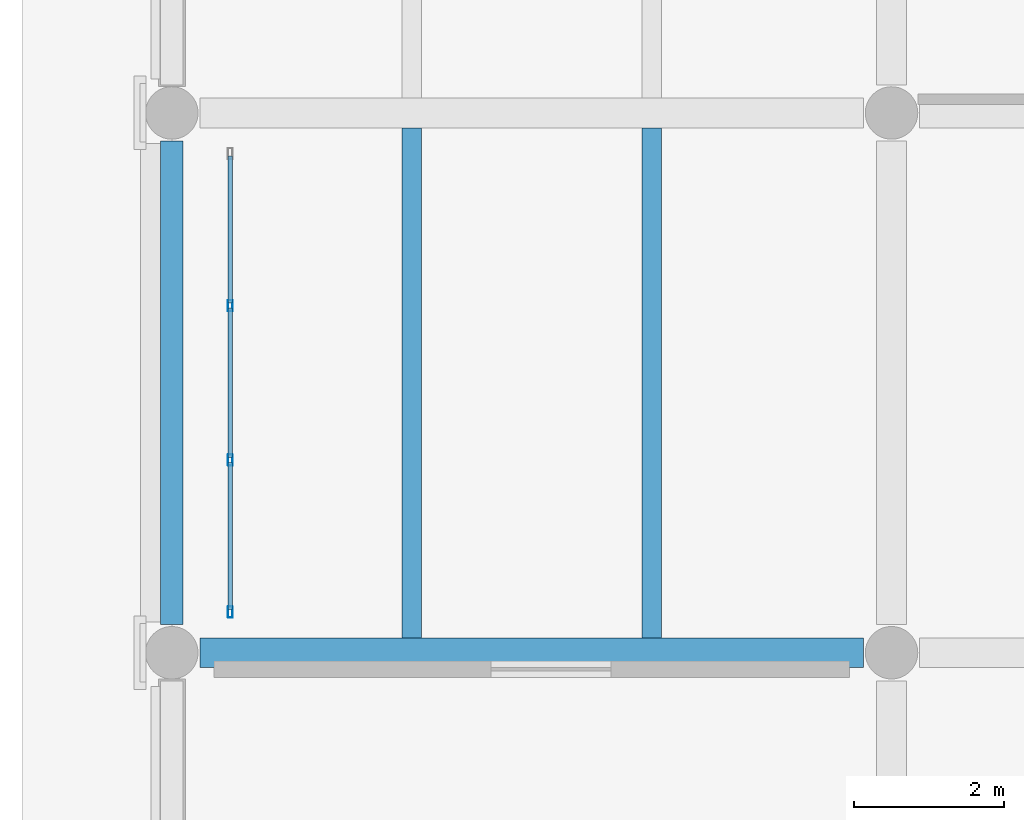
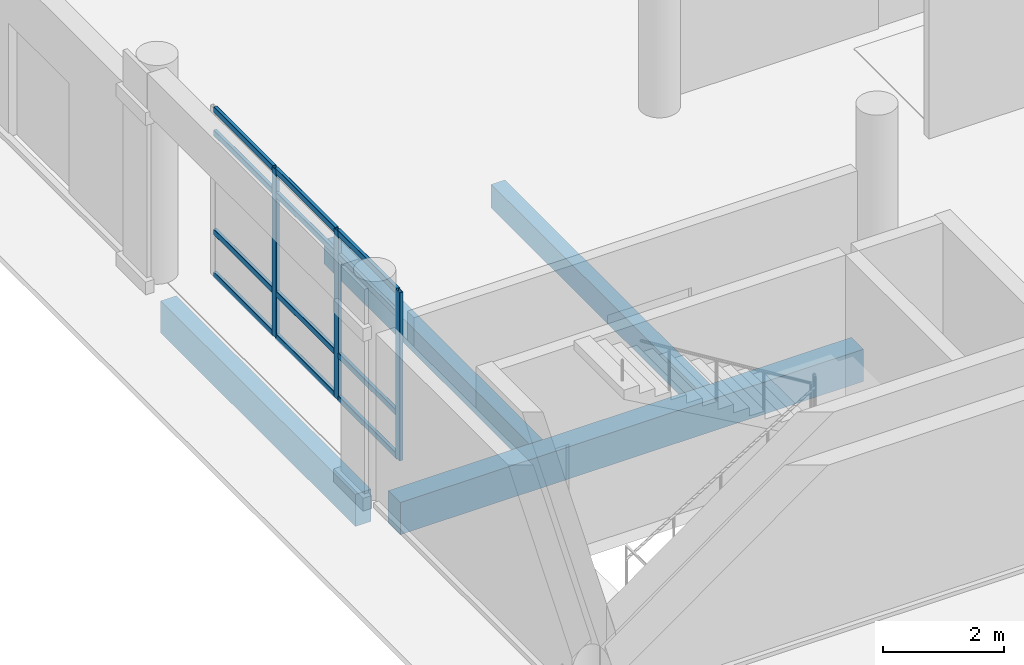
# One storey, part 48 of 196: 15 members, 4 beams, 1 element without a shape of its own.
"""IFC4 building model written with IfcOpenShell, lengths in metres."""

from ifc_helpers import new_model, si_unit, direction, frame, origin, origin_2d, place, context, subcontext, project, spatial, rectangle, hollow_rectangle, extrude, material, layer, layer_set, material_profile, profile_set, type_object, element, aggregate, save


model = new_model("IFC4")

# Units and contexts
model_context = context("Model", 3, precision=1e-05, world=origin(), true_north=direction((0.0, 1.0)))
body_context = subcontext(model_context, "Body", "Model", "MODEL_VIEW")
ifc_project = project(units=[si_unit("LENGTHUNIT", "METRE"), si_unit("AREAUNIT", "SQUARE_METRE"), si_unit("VOLUMEUNIT", "CUBIC_METRE"), si_unit("PLANEANGLEUNIT", "RADIAN"), si_unit("MASSUNIT", "GRAM", prefix="KILO")], contexts=[model_context])

# Site, building, storey
site_placement = place(None, origin())
site = spatial("IfcSite", under=ifc_project, at=site_placement, CompositionType="ELEMENT")
building_placement = place(site_placement, origin())
building = spatial("IfcBuilding", under=site, at=building_placement, Name="Asteropetra Specialist Clinic", CompositionType="ELEMENT")
storey_placement = place(building_placement, origin())
storey = spatial("IfcBuildingStorey", under=building, at=storey_placement, Name="L00", CompositionType="ELEMENT", Elevation=0.0)

# Beam
ifc_material_1 = material(Name="Concrete C35/45", Category="concrete")
ifc_material_profile_1 = material_profile(ifc_material_1, rectangle(XDim=0.39990234375, YDim=0.64990234375, at=origin_2d()), Name="RCB 400x650")
ifc_profile_set_1 = profile_set([ifc_material_profile_1], Name="Concrete C35/45")
beam_type_1 = type_object("IfcBeamType", Name="BM-RC400x650", PredefinedType="BEAM", material=ifc_profile_set_1)
beam_1_placement = place(storey_placement, frame((0.375, 40.800048828125, -0.625), z_axis=(1.0, 0.0, 0.0), x_axis=(0.0, 1.0, 0.0)))
element("IfcBeam", 1, at=beam_1_placement, inside=storey, type_object=beam_type_1, Name="Beam BBM07-0138", PredefinedType="BEAM", context=body_context, shape_type="SweptSolid", body=[
    extrude(rectangle(XDim=0.39990234375, YDim=0.64990234375, at=origin_2d()), origin(), (0.0, 0.0, 1.0), 8.85009765625),
])

# Curtain wall, members
ifc_material_2 = material(Name="Aluminium and low-E glass", Category="aluminium")
ifc_layer = layer(ifc_material_2, 0.179931640625)
ifc_layer_set = layer_set([ifc_layer], Name="Aluminium and low-E glass")
curtain_wall_type = type_object("IfcCurtainWallType", Name="CW-SYS-10", PredefinedType="USERDEFINED", material=ifc_layer_set)
curtain_wall_placement = place(storey_placement, origin())
curtain_wall = element("IfcCurtainWall", 2, at=curtain_wall_placement, inside=storey, type_object=curtain_wall_type, Name="Curtain Wall CW-151", ObjectType="STICK GLAZED COLONNADE", PredefinedType="USERDEFINED")
ifc_material_3 = material(Name="Aluminium 6063-T6", Category="aluminium")
ifc_material_profile_2 = material_profile(ifc_material_3, hollow_rectangle(XDim=0.06494140625, YDim=0.14990234375, WallThickness=0.00390625, InnerFilletRadius=0.00390625, OuterFilletRadius=0.008056640625, at=origin_2d()), Name="MUL 150x65x4.0")
ifc_profile_set_2 = profile_set([ifc_material_profile_2], Name="Aluminium 6063-T6")
member_type_1 = type_object("IfcMemberType", Name="CWM-150x65", PredefinedType="MULLION", material=ifc_profile_set_2)
member_1_placement = place(storey_placement, frame((0.780029296875, 45.429931640625, 0.0), z_axis=(0.0, 0.0, 1.0), x_axis=(1.0, 0.0, 0.0)))
member_1 = element("IfcMember", 3, at=member_1_placement, type_object=member_type_1, Name="CW-151 mullion 2", PredefinedType="MULLION", context=body_context, shape_type="SweptSolid", body=[
    extrude(hollow_rectangle(XDim=0.06494140625, YDim=0.14990234375, WallThickness=0.00390625, InnerFilletRadius=0.00390625, OuterFilletRadius=0.008056640625, at=origin_2d()), origin(), (0.0, 0.0, 1.0), 3.39990234375),
])
member_2_placement = place(storey_placement, frame((0.780029296875, 43.3701171875, 0.0), z_axis=(0.0, 0.0, 1.0), x_axis=(1.0, 0.0, 0.0)))
member_2 = element("IfcMember", 4, at=member_2_placement, type_object=member_type_1, Name="CW-151 mullion 3", PredefinedType="MULLION", context=body_context, shape_type="SweptSolid", body=[
    extrude(hollow_rectangle(XDim=0.06494140625, YDim=0.14990234375, WallThickness=0.00390625, InnerFilletRadius=0.00390625, OuterFilletRadius=0.008056640625, at=origin_2d()), origin(), (0.0, 0.0, 1.0), 3.39990234375),
])
member_3_placement = place(storey_placement, frame((0.780029296875, 41.342529296875, 0.0), z_axis=(0.0, 0.0, 1.0), x_axis=(1.0, 0.0, 0.0)))
member_3 = element("IfcMember", 5, at=member_3_placement, type_object=member_type_1, Name="CW-151 mullion 4", PredefinedType="MULLION", context=body_context, shape_type="SweptSolid", body=[
    extrude(hollow_rectangle(XDim=0.06494140625, YDim=0.14990234375, WallThickness=0.00390625, InnerFilletRadius=0.00390625, OuterFilletRadius=0.008056640625, at=origin_2d()), origin(), (0.0, 0.0, 1.0), 3.39990234375),
])
ifc_material_4 = material(Name="Aluminium 6063-T6", Category="aluminium")
ifc_material_profile_3 = material_profile(ifc_material_4, hollow_rectangle(XDim=0.06494140625, YDim=0.1201171875, WallThickness=0.00390625, InnerFilletRadius=0.00390625, OuterFilletRadius=0.008056640625, at=origin_2d()), Name="TRN 120x65x4.0")
ifc_profile_set_3 = profile_set([ifc_material_profile_3], Name="Aluminium 6063-T6")
member_type_2 = type_object("IfcMemberType", Name="CWT-120x65", PredefinedType="USERDEFINED", material=ifc_profile_set_3)
member_4_placement = place(storey_placement, frame((0.780029296875, 47.425048828125, 0.032470703125), z_axis=(0.0, -1.0, 0.0), x_axis=(1.0, 0.0, 0.0)))
member_4 = element("IfcMember", 6, at=member_4_placement, type_object=member_type_2, Name="CW-151 transom 1.1", ObjectType="TRANSOM", PredefinedType="USERDEFINED", context=body_context, shape_type="SweptSolid", body=[
    extrude(hollow_rectangle(XDim=0.06494140625, YDim=0.1201171875, WallThickness=0.00390625, InnerFilletRadius=0.00390625, OuterFilletRadius=0.008056640625, at=origin_2d()), origin(), (0.0, 0.0, 1.0), 1.962646484375),
])
member_5_placement = place(storey_placement, frame((0.780029296875, 47.425048828125, 0.89990234375), z_axis=(0.0, -1.0, 0.0), x_axis=(1.0, 0.0, 0.0)))
member_5 = element("IfcMember", 7, at=member_5_placement, type_object=member_type_2, Name="CW-151 transom 1.2", ObjectType="TRANSOM", PredefinedType="USERDEFINED", context=body_context, shape_type="SweptSolid", body=[
    extrude(hollow_rectangle(XDim=0.06494140625, YDim=0.1201171875, WallThickness=0.00390625, InnerFilletRadius=0.00390625, OuterFilletRadius=0.008056640625, at=origin_2d()), origin(), (0.0, 0.0, 1.0), 1.962646484375),
])
member_6_placement = place(storey_placement, frame((0.780029296875, 47.425048828125, 2.89990234375), z_axis=(0.0, -1.0, 0.0), x_axis=(1.0, 0.0, 0.0)))
member_6 = element("IfcMember", 8, at=member_6_placement, type_object=member_type_2, Name="CW-151 transom 1.3", ObjectType="TRANSOM", PredefinedType="USERDEFINED", context=body_context, shape_type="SweptSolid", body=[
    extrude(hollow_rectangle(XDim=0.06494140625, YDim=0.1201171875, WallThickness=0.00390625, InnerFilletRadius=0.00390625, OuterFilletRadius=0.008056640625, at=origin_2d()), origin(), (0.0, 0.0, 1.0), 1.962646484375),
])
member_7_placement = place(storey_placement, frame((0.780029296875, 47.425048828125, 3.367431640625), z_axis=(0.0, -1.0, 0.0), x_axis=(1.0, 0.0, 0.0)))
member_7 = element("IfcMember", 9, at=member_7_placement, type_object=member_type_2, Name="CW-151 transom 1.4", ObjectType="TRANSOM", PredefinedType="USERDEFINED", context=body_context, shape_type="SweptSolid", body=[
    extrude(hollow_rectangle(XDim=0.06494140625, YDim=0.1201171875, WallThickness=0.00390625, InnerFilletRadius=0.00390625, OuterFilletRadius=0.008056640625, at=origin_2d()), origin(), (0.0, 0.0, 1.0), 1.962646484375),
])
member_8_placement = place(storey_placement, frame((0.780029296875, 45.3974609375, 0.032470703125), z_axis=(0.0, -1.0, 0.0), x_axis=(1.0, 0.0, 0.0)))
member_8 = element("IfcMember", 10, at=member_8_placement, type_object=member_type_2, Name="CW-151 transom 2.1", ObjectType="TRANSOM", PredefinedType="USERDEFINED", context=body_context, shape_type="SweptSolid", body=[
    extrude(hollow_rectangle(XDim=0.06494140625, YDim=0.1201171875, WallThickness=0.00390625, InnerFilletRadius=0.00390625, OuterFilletRadius=0.008056640625, at=origin_2d()), origin(), (0.0, 0.0, 1.0), 1.994873046875),
])
member_9_placement = place(storey_placement, frame((0.780029296875, 45.3974609375, 0.89990234375), z_axis=(0.0, -1.0, 0.0), x_axis=(1.0, 0.0, 0.0)))
member_9 = element("IfcMember", 11, at=member_9_placement, type_object=member_type_2, Name="CW-151 transom 2.2", ObjectType="TRANSOM", PredefinedType="USERDEFINED", context=body_context, shape_type="SweptSolid", body=[
    extrude(hollow_rectangle(XDim=0.06494140625, YDim=0.1201171875, WallThickness=0.00390625, InnerFilletRadius=0.00390625, OuterFilletRadius=0.008056640625, at=origin_2d()), origin(), (0.0, 0.0, 1.0), 1.994873046875),
])
member_10_placement = place(storey_placement, frame((0.780029296875, 45.3974609375, 2.89990234375), z_axis=(0.0, -1.0, 0.0), x_axis=(1.0, 0.0, 0.0)))
member_10 = element("IfcMember", 12, at=member_10_placement, type_object=member_type_2, Name="CW-151 transom 2.3", ObjectType="TRANSOM", PredefinedType="USERDEFINED", context=body_context, shape_type="SweptSolid", body=[
    extrude(hollow_rectangle(XDim=0.06494140625, YDim=0.1201171875, WallThickness=0.00390625, InnerFilletRadius=0.00390625, OuterFilletRadius=0.008056640625, at=origin_2d()), origin(), (0.0, 0.0, 1.0), 1.994873046875),
])
member_11_placement = place(storey_placement, frame((0.780029296875, 45.3974609375, 3.367431640625), z_axis=(0.0, -1.0, 0.0), x_axis=(1.0, 0.0, 0.0)))
member_11 = element("IfcMember", 13, at=member_11_placement, type_object=member_type_2, Name="CW-151 transom 2.4", ObjectType="TRANSOM", PredefinedType="USERDEFINED", context=body_context, shape_type="SweptSolid", body=[
    extrude(hollow_rectangle(XDim=0.06494140625, YDim=0.1201171875, WallThickness=0.00390625, InnerFilletRadius=0.00390625, OuterFilletRadius=0.008056640625, at=origin_2d()), origin(), (0.0, 0.0, 1.0), 1.994873046875),
])
member_12_placement = place(storey_placement, frame((0.780029296875, 43.33740234375, 0.032470703125), z_axis=(0.0, -1.0, 0.0), x_axis=(1.0, 0.0, 0.0)))
member_12 = element("IfcMember", 14, at=member_12_placement, type_object=member_type_2, Name="CW-151 transom 3.1", ObjectType="TRANSOM", PredefinedType="USERDEFINED", context=body_context, shape_type="SweptSolid", body=[
    extrude(hollow_rectangle(XDim=0.06494140625, YDim=0.1201171875, WallThickness=0.00390625, InnerFilletRadius=0.00390625, OuterFilletRadius=0.008056640625, at=origin_2d()), origin(), (0.0, 0.0, 1.0), 1.96240234375),
])
member_13_placement = place(storey_placement, frame((0.780029296875, 43.33740234375, 0.89990234375), z_axis=(0.0, -1.0, 0.0), x_axis=(1.0, 0.0, 0.0)))
member_13 = element("IfcMember", 15, at=member_13_placement, type_object=member_type_2, Name="CW-151 transom 3.2", ObjectType="TRANSOM", PredefinedType="USERDEFINED", context=body_context, shape_type="SweptSolid", body=[
    extrude(hollow_rectangle(XDim=0.06494140625, YDim=0.1201171875, WallThickness=0.00390625, InnerFilletRadius=0.00390625, OuterFilletRadius=0.008056640625, at=origin_2d()), origin(), (0.0, 0.0, 1.0), 1.96240234375),
])
member_14_placement = place(storey_placement, frame((0.780029296875, 43.33740234375, 2.89990234375), z_axis=(0.0, -1.0, 0.0), x_axis=(1.0, 0.0, 0.0)))
member_14 = element("IfcMember", 16, at=member_14_placement, type_object=member_type_2, Name="CW-151 transom 3.3", ObjectType="TRANSOM", PredefinedType="USERDEFINED", context=body_context, shape_type="SweptSolid", body=[
    extrude(hollow_rectangle(XDim=0.06494140625, YDim=0.1201171875, WallThickness=0.00390625, InnerFilletRadius=0.00390625, OuterFilletRadius=0.008056640625, at=origin_2d()), origin(), (0.0, 0.0, 1.0), 1.96240234375),
])
member_15_placement = place(storey_placement, frame((0.780029296875, 43.33740234375, 3.367431640625), z_axis=(0.0, -1.0, 0.0), x_axis=(1.0, 0.0, 0.0)))
member_15 = element("IfcMember", 17, at=member_15_placement, type_object=member_type_2, Name="CW-151 transom 3.4", ObjectType="TRANSOM", PredefinedType="USERDEFINED", context=body_context, shape_type="SweptSolid", body=[
    extrude(hollow_rectangle(XDim=0.06494140625, YDim=0.1201171875, WallThickness=0.00390625, InnerFilletRadius=0.00390625, OuterFilletRadius=0.008056640625, at=origin_2d()), origin(), (0.0, 0.0, 1.0), 1.96240234375),
])
aggregate(curtain_wall, [member_1, member_2, member_3, member_4, member_5, member_6, member_7, member_8, member_9, member_10, member_11, member_12, member_13, member_14, member_15])

# Beams
ifc_material_5 = material(Name="Concrete C35/45", Category="concrete")
ifc_material_profile_4 = material_profile(ifc_material_5, rectangle(XDim=0.260009765625, YDim=0.47998046875, at=origin_2d()), Name="RCJ 260x480")
ifc_profile_set_4 = profile_set([ifc_material_profile_4], Name="Concrete C35/45")
beam_type_2 = type_object("IfcBeamType", Name="JST-RC260x480", PredefinedType="JOIST", material=ifc_profile_set_4)
for number, where, z_axis, x_axis, name in (
    (18, (3.199951171875, 41.0, -0.5400390625), (0.0, 1.0, 0.0), (-1.0, 0.0, 0.0), "Joist JJST02-0177"),
    (19, (6.39990234375, 41.0, -0.5400390625), (0.0, 1.0, 0.0), (-1.0, 0.0, 0.0), "Joist JJST02-0178"),
):
    element("IfcBeam", number, at=place(storey_placement, frame(where, z_axis=z_axis, x_axis=x_axis)), inside=storey, type_object=beam_type_2, Name=name, PredefinedType="JOIST", context=body_context, shape_type="SweptSolid", body=[
        extrude(rectangle(XDim=0.260009765625, YDim=0.47998046875, at=origin_2d()), origin(), (0.0, 0.0, 1.0), 6.800048828125),
    ])
ifc_material_6 = material(Name="Concrete C35/45", Category="concrete")
ifc_material_profile_5 = material_profile(ifc_material_6, rectangle(XDim=0.300048828125, YDim=0.64990234375, at=origin_2d()), Name="RCS 300x650")
ifc_profile_set_5 = profile_set([ifc_material_profile_5], Name="Concrete C35/45")
beam_type_3 = type_object("IfcBeamType", Name="SPN-RC300x650", PredefinedType="SPANDREL", material=ifc_profile_set_5)
beam_2_placement = place(storey_placement, frame((0.0, 41.175048828125, -0.625), z_axis=(0.0, 1.0, 0.0), x_axis=(-1.0, 0.0, 0.0)))
element("IfcBeam", 20, at=beam_2_placement, inside=storey, type_object=beam_type_3, Name="Beam BSPN03-0172", PredefinedType="SPANDREL", context=body_context, shape_type="SweptSolid", body=[
    extrude(rectangle(XDim=0.300048828125, YDim=0.64990234375, at=origin_2d()), origin(), (0.0, 0.0, 1.0), 6.449951171875),
])

save(model, "model.ifc")
